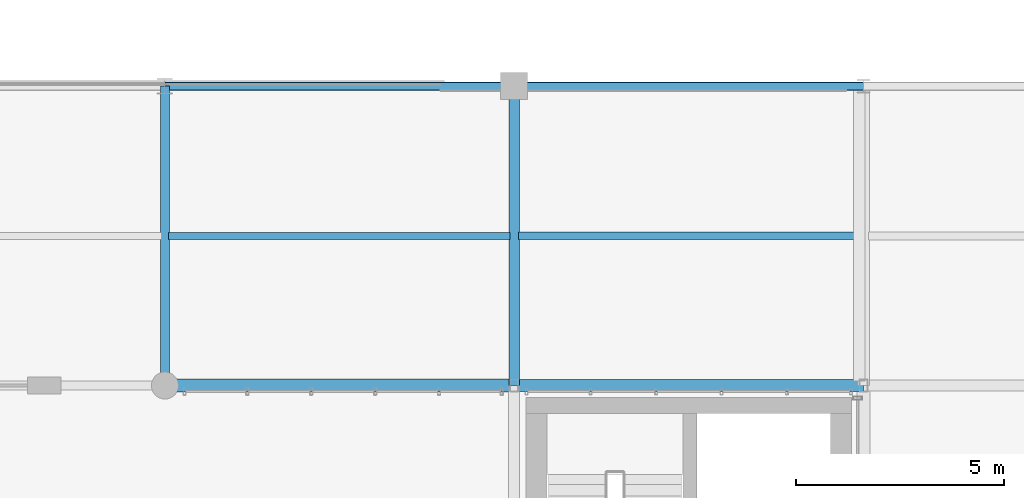
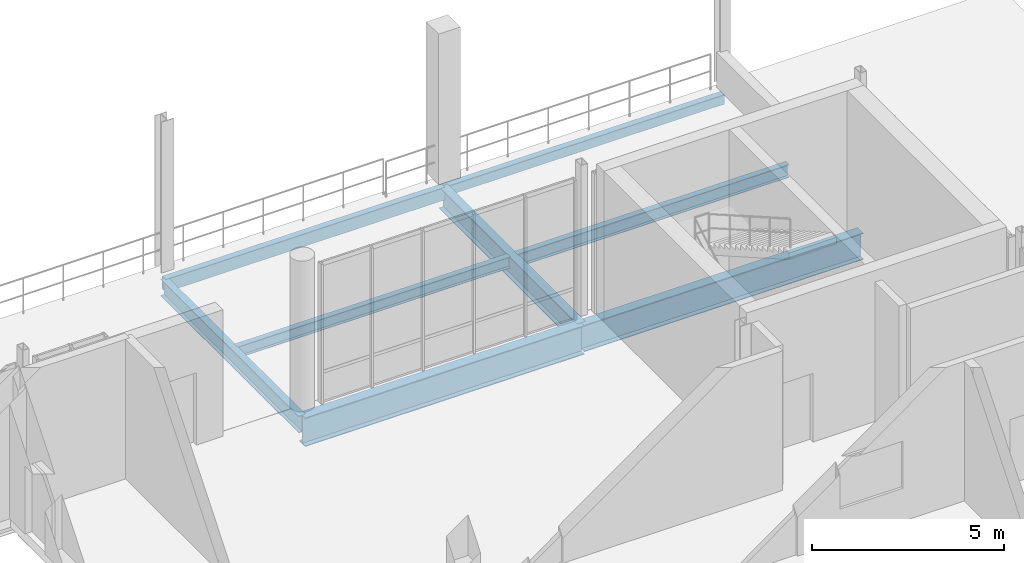
# One storey, part 36 of 81: 8 beams.
"""IFC4 building model written with IfcOpenShell, lengths in metres."""

from ifc_helpers import new_model, si_unit, direction, frame, origin_with_axes, origin_2d_with_axis, place, context, subcontext, project, spatial, hollow_rectangle, i_section, extrude, material, material_profile, profile_set, type_object, element, save


model = new_model("IFC4")

# Units and contexts
model_context = context("Model", 3, precision=1e-05, world=origin_with_axes(), true_north=direction((0.0, 1.0)))
body_context = subcontext(model_context, "Body", "Model", "MODEL_VIEW")
ifc_project = project(units=[si_unit("LENGTHUNIT", "METRE"), si_unit("AREAUNIT", "SQUARE_METRE"), si_unit("VOLUMEUNIT", "CUBIC_METRE"), si_unit("PLANEANGLEUNIT", "RADIAN"), si_unit("MASSUNIT", "GRAM", prefix="KILO"), si_unit("THERMODYNAMICTEMPERATUREUNIT", "KELVIN")], contexts=[model_context])

# Site, building, storey
site_placement = place(None, origin_with_axes())
site = spatial("IfcSite", under=ifc_project, at=site_placement, CompositionType="ELEMENT")
building_placement = place(site_placement, origin_with_axes())
building = spatial("IfcBuilding", under=site, at=building_placement, Name="Montbau Bow Law Courts", CompositionType="ELEMENT")
storey_placement = place(building_placement, frame((0.0, 0.0, 24.9), z_axis=(0.0, 0.0, 1.0), x_axis=(1.0, 0.0, 0.0)))
storey = spatial("IfcBuildingStorey", under=building, at=storey_placement, Name="L05", CompositionType="ELEMENT", Elevation=24.9)

# Beams
ifc_material_1 = material(Name="Steel CSA G40.21 Grade 350W (350 MPa)", Category="steel")
ifc_material_profile_1 = material_profile(ifc_material_1, i_section(OverallWidth=0.306, OverallDepth=0.919, WebThickness=0.0173, FlangeThickness=0.0279, at=origin_2d_with_axis()), Name="W920X253", Category="Main", Priority=0)
ifc_profile_set_1 = profile_set([ifc_material_profile_1], Name="Steel CSA G40.21 Grade 350W (350 MPa)")
beam_type_1 = type_object("IfcBeamType", Name="B-FLR-01", PredefinedType="BEAM", material=ifc_profile_set_1)
beam_1_placement = place(None, frame((72.0, 54.6, 24.12), z_axis=(1.0, 0.0, 0.0), x_axis=(0.0, 1.0, 0.0)))
element("IfcBeam", 1, at=beam_1_placement, inside=storey, type_object=beam_type_1, Name="BM-L05-S0971:bm2_0974", PredefinedType="BEAM", context=body_context, shape_type="SweptSolid", body=[
    extrude(i_section(OverallWidth=0.306, OverallDepth=0.919, WebThickness=0.0173, FlangeThickness=0.0279, at=origin_2d_with_axis()), origin_with_axes(), (0.0, 0.0, 1.0), 8.4),
])
ifc_material_profile_2 = material_profile(ifc_material_1, i_section(OverallWidth=0.293, OverallDepth=0.846, WebThickness=0.0154, FlangeThickness=0.0244, at=origin_2d_with_axis()), Name="W840X210", Category="Main", Priority=0)
ifc_profile_set_2 = profile_set([ifc_material_profile_2], Name="Steel CSA G40.21 Grade 350W (350 MPa)")
beam_type_2 = type_object("IfcBeamType", Name="B-FLR-02", PredefinedType="BEAM", material=ifc_profile_set_2)
beam_2_placement = place(None, frame((80.4, 54.6, 24.157), z_axis=(1.0, 0.0, 0.0), x_axis=(0.0, 1.0, 0.0)))
element("IfcBeam", 2, at=beam_2_placement, inside=storey, type_object=beam_type_2, Name="BM-L05-S0972:bm2_0975", PredefinedType="BEAM", context=body_context, shape_type="SweptSolid", body=[
    extrude(i_section(OverallWidth=0.293, OverallDepth=0.846, WebThickness=0.0154, FlangeThickness=0.0244, at=origin_2d_with_axis()), origin_with_axes(), (0.0, 0.0, 1.0), 8.4),
])
ifc_material_profile_3 = material_profile(ifc_material_1, i_section(OverallWidth=0.254, OverallDepth=0.688, WebThickness=0.0131, FlangeThickness=0.0211, at=origin_2d_with_axis()), Name="W690X152", Category="Main", Priority=0)
ifc_profile_set_3 = profile_set([ifc_material_profile_3], Name="Steel CSA G40.21 Grade 350W (350 MPa)")
beam_type_3 = type_object("IfcBeamType", Name="B-FLR-04", PredefinedType="BEAM", material=ifc_profile_set_3)
beam_3_placement = place(None, frame((80.4, 54.6, 24.236), z_axis=(0.0, 1.0, 0.0), x_axis=(-1.0, 0.0, 0.0)))
element("IfcBeam", 3, at=beam_3_placement, inside=storey, type_object=beam_type_3, Name="BM-L05-S0990:bm2_0993", PredefinedType="BEAM", context=body_context, shape_type="SweptSolid", body=[
    extrude(i_section(OverallWidth=0.254, OverallDepth=0.688, WebThickness=0.0131, FlangeThickness=0.0211, at=origin_2d_with_axis()), origin_with_axes(), (0.0, 0.0, 1.0), 7.2),
])
ifc_material_profile_4 = material_profile(ifc_material_1, i_section(OverallWidth=0.21, OverallDepth=0.537, WebThickness=0.0109, FlangeThickness=0.0174, at=origin_2d_with_axis()), Name="W530X101", Category="Main", Priority=0)
ifc_profile_set_4 = profile_set([ifc_material_profile_4], Name="Steel CSA G40.21 Grade 350W (350 MPa)")
beam_type_4 = type_object("IfcBeamType", Name="B-FLR-06", PredefinedType="BEAM", material=ifc_profile_set_4)
beam_4_placement = place(None, frame((72.0, 54.6, 24.311), z_axis=(0.0, 1.0, 0.0), x_axis=(-1.0, 0.0, 0.0)))
element("IfcBeam", 4, at=beam_4_placement, inside=storey, type_object=beam_type_4, Name="BM-L05-S0987:bm2_0990", PredefinedType="BEAM", context=body_context, shape_type="SweptSolid", body=[
    extrude(i_section(OverallWidth=0.21, OverallDepth=0.537, WebThickness=0.0109, FlangeThickness=0.0174, at=origin_2d_with_axis()), origin_with_axes(), (0.0, 0.0, 1.0), 7.2),
])
ifc_material_profile_5 = material_profile(ifc_material_1, i_section(OverallWidth=0.179, OverallDepth=0.41, WebThickness=0.0088, FlangeThickness=0.0144, at=origin_2d_with_axis()), Name="W410X67", Category="Main", Priority=0)
ifc_profile_set_5 = profile_set([ifc_material_profile_5], Name="Steel CSA G40.21 Grade 350W (350 MPa)")
beam_type_5 = type_object("IfcBeamType", Name="B-JST-02", PredefinedType="JOIST", material=ifc_profile_set_5)
beam_5_placement = place(None, frame((80.503, 58.2, 24.375), z_axis=(1.0, 0.0, 0.0), x_axis=(0.0, 1.0, 0.0)))
element("IfcBeam", 5, at=beam_5_placement, inside=storey, type_object=beam_type_5, Name="JST-L05-S0505:jst2_0505", PredefinedType="JOIST", context=body_context, shape_type="SweptSolid", body=[
    extrude(i_section(OverallWidth=0.179, OverallDepth=0.41, WebThickness=0.0088, FlangeThickness=0.0144, at=origin_2d_with_axis()), origin_with_axes(), (0.0, 0.0, 1.0), 8.174),
])
ifc_material_profile_6 = material_profile(ifc_material_1, i_section(OverallWidth=0.172, OverallDepth=0.358, WebThickness=0.0079, FlangeThickness=0.0131, at=origin_2d_with_axis()), Name="W360X57", Category="Main", Priority=0)
ifc_profile_set_6 = profile_set([ifc_material_profile_6], Name="Steel CSA G40.21 Grade 350W (350 MPa)")
beam_type_6 = type_object("IfcBeamType", Name="B-JST-03", PredefinedType="JOIST", material=ifc_profile_set_6)
beam_6_placement = place(None, frame((72.081, 58.2, 24.401), z_axis=(1.0, 0.0, 0.0), x_axis=(0.0, 1.0, 0.0)))
element("IfcBeam", 6, at=beam_6_placement, inside=storey, type_object=beam_type_6, Name="JST-L05-S0502:jst2_0502", PredefinedType="JOIST", context=body_context, shape_type="SweptSolid", body=[
    extrude(i_section(OverallWidth=0.172, OverallDepth=0.358, WebThickness=0.0079, FlangeThickness=0.0131, at=origin_2d_with_axis()), origin_with_axes(), (0.0, 0.0, 1.0), 8.216),
])
ifc_material_2 = material(Name="Steel CSA G40.21 Grade 350WT (350 MPa)", Category="steel")
ifc_material_profile_7 = material_profile(ifc_material_2, hollow_rectangle(XDim=0.203, YDim=0.406, WallThickness=0.0127, InnerFilletRadius=0.0254, OuterFilletRadius=0.0127, at=origin_2d_with_axis()), Name="HSS406X203X13", Category="Main", Priority=0)
ifc_profile_set_7 = profile_set([ifc_material_profile_7], Name="Steel CSA G40.21 Grade 350WT (350 MPa)")
beam_type_7 = type_object("IfcBeamType", Name="B-SPN-01", PredefinedType="SPANDREL", material=ifc_profile_set_7)
beam_7_placement = place(None, frame((72.0, 61.8, 24.377), z_axis=(1.0, 0.0, 0.0), x_axis=(0.0, 1.0, 0.0)))
element("IfcBeam", 7, at=beam_7_placement, inside=storey, type_object=beam_type_7, Name="SPN-L05-S0977:bm2_0980", PredefinedType="SPANDREL", context=body_context, shape_type="SweptSolid", body=[
    extrude(hollow_rectangle(XDim=0.203, YDim=0.406, WallThickness=0.0127, InnerFilletRadius=0.0254, OuterFilletRadius=0.0127, at=origin_2d_with_axis()), origin_with_axes(), (0.0, 0.0, 1.0), 8.4),
])
ifc_material_profile_8 = material_profile(ifc_material_2, hollow_rectangle(XDim=0.203, YDim=0.305, WallThickness=0.0127, InnerFilletRadius=0.0254, OuterFilletRadius=0.0127, at=origin_2d_with_axis()), Name="HSS305X203X13", Category="Main", Priority=0)
ifc_profile_set_8 = profile_set([ifc_material_profile_8], Name="Steel CSA G40.21 Grade 350WT (350 MPa)")
beam_type_8 = type_object("IfcBeamType", Name="B-SPN-02", PredefinedType="SPANDREL", material=ifc_profile_set_8)
beam_8_placement = place(None, frame((80.4, 61.8, 24.427), z_axis=(1.0, 0.0, 0.0), x_axis=(0.0, 1.0, 0.0)))
element("IfcBeam", 8, at=beam_8_placement, inside=storey, type_object=beam_type_8, Name="SPN-L05-S0978:bm2_0981", PredefinedType="SPANDREL", context=body_context, shape_type="SweptSolid", body=[
    extrude(hollow_rectangle(XDim=0.203, YDim=0.305, WallThickness=0.0127, InnerFilletRadius=0.0254, OuterFilletRadius=0.0127, at=origin_2d_with_axis()), origin_with_axes(), (0.0, 0.0, 1.0), 8.4),
])

save(model, "model.ifc")
